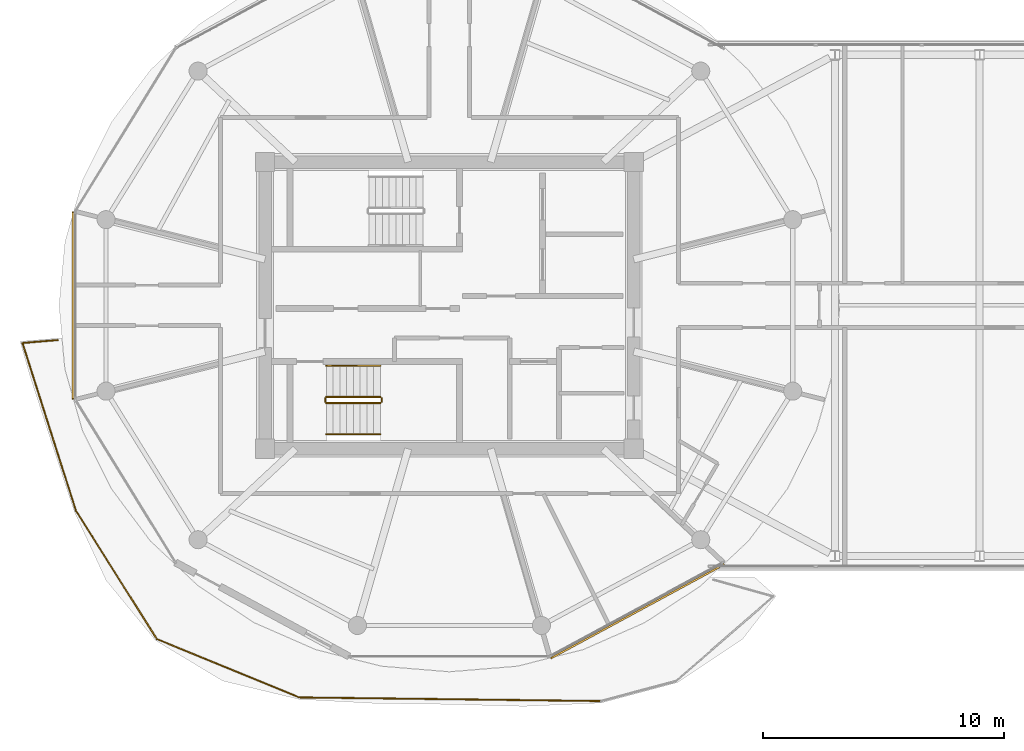
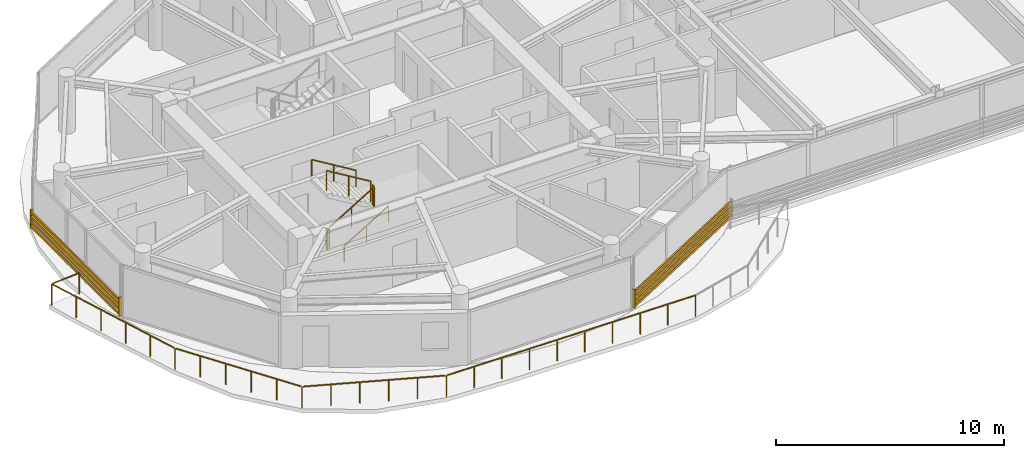
# One storey, part 20 of 23: 7 railings, 2 shading devices.
"""IFC4 building model written with IfcOpenShell, lengths in metres."""

from ifc_helpers import new_model, si_unit, direction, frame, origin, origin_2d, place, context, subcontext, project, spatial, rectangle, extrude, source, transform, mapped, material, type_object, type_shapes, element, save


model = new_model("IFC4")

# Units and contexts
model_context = context("Model", 3, precision=1e-05, world=origin(), true_north=direction((0.0, 1.0)))
body_context = subcontext(model_context, "Body", "Model", "MODEL_VIEW")
ifc_project = project(units=[si_unit("LENGTHUNIT", "METRE"), si_unit("AREAUNIT", "SQUARE_METRE"), si_unit("VOLUMEUNIT", "CUBIC_METRE"), si_unit("PLANEANGLEUNIT", "RADIAN"), si_unit("MASSUNIT", "GRAM", prefix="KILO")], contexts=[model_context])

# Site, building, storey
site_placement = place(None, origin())
site = spatial("IfcSite", under=ifc_project, at=site_placement, CompositionType="ELEMENT")
building_placement = place(site_placement, origin())
building = spatial("IfcBuilding", under=site, at=building_placement, Name="Norrkilde Senior Care Towers", CompositionType="ELEMENT")
storey_placement = place(building_placement, frame((0.0, 0.0, 229.14990234375)))
storey = spatial("IfcBuildingStorey", under=building, at=storey_placement, Name="L71", CompositionType="ELEMENT", Elevation=229.14990234375)

# Railings
ifc_material_1 = material(Name="Anodised Aluminium", Category="aluminium")
railing_type_1 = type_object("IfcRailingType", Name="Balcony Swirl Ribbon Guardrail 1150", PredefinedType="GUARDRAIL", material=ifc_material_1)
railing_1_placement = place(storey_placement, frame((-21.7158203125, -16.4169921875, 0.0)))
element("IfcRailing", 1, at=railing_1_placement, inside=storey, type_object=railing_type_1, Name="L71 Perimeter Safety Guard 03", PredefinedType="GUARDRAIL", context=body_context, shape_type="SweptSolid", body=[
    extrude(rectangle(XDim=0.048095703125, YDim=0.048095703125, at=origin_2d()), frame((0.0, 0.0, 1.1259765625), z_axis=(-0.999927130916, 0.012071986543, 0.0), x_axis=(-0.012071986543, -0.999927130916, 0.0)), (0.0, 0.0, 1.0), 12.4775390625),
    extrude(rectangle(XDim=0.048095703125, YDim=0.048095703125, at=origin_2d()), frame((-12.555419921875, 0.166748046875, 1.1259765625), z_axis=(-0.925186522393, 0.379512712281, 0.0), x_axis=(-0.379512712281, -0.925186522393, 0.0)), (0.0, 0.0, 1.0), 6.30224609375),
    extrude(rectangle(XDim=0.048095703125, YDim=0.048095703125, at=origin_2d()), frame((-18.44580078125, 2.608642578125, 1.1259765625), z_axis=(-0.533303940625, 0.845923700409, 0.0), x_axis=(-0.845923700409, -0.533303940625, 0.0)), (0.0, 0.0, 1.0), 6.2119140625),
    extrude(rectangle(XDim=0.048095703125, YDim=0.048095703125, at=origin_2d()), frame((-21.79296875, 7.93701171875, 1.1259765625), z_axis=(-0.303715488144, 0.952762773339, 0.0), x_axis=(-0.952762773339, -0.303715488144, 0.0)), (0.0, 0.0, 1.0), 7.221923828125),
    extrude(rectangle(XDim=0.048095703125, YDim=0.048095703125, at=origin_2d()), frame((-23.9580078125, 14.860107421875, 1.1259765625), z_axis=(0.996532026815, 0.083210092725, 0.0), x_axis=(-0.083210092725, 0.996532026815, 0.0)), (0.0, 0.0, 1.0), 1.431884765625),
    extrude(rectangle(XDim=0.0419921875, YDim=0.0419921875, at=origin_2d()), origin(), (0.0, 0.0, 1.0), 1.099853515625),
    extrude(rectangle(XDim=0.0419921875, YDim=0.0419921875, at=origin_2d()), frame((-1.390869140625, 0.016845703125, 0.0)), (0.0, 0.0, 1.0), 1.099853515625),
    extrude(rectangle(XDim=0.0419921875, YDim=0.0419921875, at=origin_2d()), frame((-2.78173828125, 0.03369140625, 0.0)), (0.0, 0.0, 1.0), 1.099853515625),
    extrude(rectangle(XDim=0.0419921875, YDim=0.0419921875, at=origin_2d()), frame((-4.172607421875, 0.05029296875, 0.0)), (0.0, 0.0, 1.0), 1.099853515625),
    extrude(rectangle(XDim=0.0419921875, YDim=0.0419921875, at=origin_2d()), frame((-5.5634765625, 0.067138671875, 0.0)), (0.0, 0.0, 1.0), 1.099853515625),
    extrude(rectangle(XDim=0.0419921875, YDim=0.0419921875, at=origin_2d()), frame((-6.9541015625, 0.083984375, 0.0)), (0.0, 0.0, 1.0), 1.099853515625),
    extrude(rectangle(XDim=0.0419921875, YDim=0.0419921875, at=origin_2d()), frame((-8.344970703125, 0.100830078125, 0.0)), (0.0, 0.0, 1.0), 1.099853515625),
    extrude(rectangle(XDim=0.0419921875, YDim=0.0419921875, at=origin_2d()), frame((-9.73583984375, 0.117431640625, 0.0)), (0.0, 0.0, 1.0), 1.099853515625),
    extrude(rectangle(XDim=0.0419921875, YDim=0.0419921875, at=origin_2d()), frame((-11.126708984375, 0.13427734375, 0.0)), (0.0, 0.0, 1.0), 1.099853515625),
    extrude(rectangle(XDim=0.0419921875, YDim=0.0419921875, at=origin_2d()), frame((-12.517578125, 0.151123046875, 0.0)), (0.0, 0.0, 1.0), 1.099853515625),
    extrude(rectangle(XDim=0.0419921875, YDim=0.0419921875, at=origin_2d()), frame((-13.698974609375, 0.6357421875, 0.0)), (0.0, 0.0, 1.0), 1.099853515625),
    extrude(rectangle(XDim=0.0419921875, YDim=0.0419921875, at=origin_2d()), frame((-14.880126953125, 1.120361328125, 0.0)), (0.0, 0.0, 1.0), 1.099853515625),
    extrude(rectangle(XDim=0.0419921875, YDim=0.0419921875, at=origin_2d()), frame((-16.0615234375, 1.604736328125, 0.0)), (0.0, 0.0, 1.0), 1.099853515625),
    extrude(rectangle(XDim=0.0419921875, YDim=0.0419921875, at=origin_2d()), frame((-17.24267578125, 2.08935546875, 0.0)), (0.0, 0.0, 1.0), 1.099853515625),
    extrude(rectangle(XDim=0.0419921875, YDim=0.0419921875, at=origin_2d()), frame((-18.424072265625, 2.573974609375, 0.0)), (0.0, 0.0, 1.0), 1.099853515625),
    extrude(rectangle(XDim=0.0419921875, YDim=0.0419921875, at=origin_2d()), frame((-19.095458984375, 3.638671875, 0.0)), (0.0, 0.0, 1.0), 1.099853515625),
    extrude(rectangle(XDim=0.0419921875, YDim=0.0419921875, at=origin_2d()), frame((-19.7666015625, 4.70361328125, 0.0)), (0.0, 0.0, 1.0), 1.099853515625),
    extrude(rectangle(XDim=0.0419921875, YDim=0.0419921875, at=origin_2d()), frame((-20.43798828125, 5.768310546875, 0.0)), (0.0, 0.0, 1.0), 1.099853515625),
    extrude(rectangle(XDim=0.0419921875, YDim=0.0419921875, at=origin_2d()), frame((-21.109130859375, 6.833251953125, 0.0)), (0.0, 0.0, 1.0), 1.099853515625),
    extrude(rectangle(XDim=0.0419921875, YDim=0.0419921875, at=origin_2d()), frame((-21.780517578125, 7.89794921875, 0.0)), (0.0, 0.0, 1.0), 1.099853515625),
    extrude(rectangle(XDim=0.0419921875, YDim=0.0419921875, at=origin_2d()), frame((-22.22412109375, 9.289794921875, 0.0)), (0.0, 0.0, 1.0), 1.099853515625),
    extrude(rectangle(XDim=0.0419921875, YDim=0.0419921875, at=origin_2d()), frame((-22.667724609375, 10.681396484375, 0.0)), (0.0, 0.0, 1.0), 1.099853515625),
    extrude(rectangle(XDim=0.0419921875, YDim=0.0419921875, at=origin_2d()), frame((-23.111572265625, 12.0732421875, 0.0)), (0.0, 0.0, 1.0), 1.099853515625),
    extrude(rectangle(XDim=0.0419921875, YDim=0.0419921875, at=origin_2d()), frame((-23.55517578125, 13.46484375, 0.0)), (0.0, 0.0, 1.0), 1.099853515625),
    extrude(rectangle(XDim=0.0419921875, YDim=0.0419921875, at=origin_2d()), frame((-23.998779296875, 14.856689453125, 0.0)), (0.0, 0.0, 1.0), 1.099853515625),
    extrude(rectangle(XDim=0.0419921875, YDim=0.0419921875, at=origin_2d()), frame((-22.531005859375, 14.979248046875, 0.0)), (0.0, 0.0, 1.0), 1.099853515625),
])
ifc_material_2 = material(Name="Stainless Steel", Category="steel")
railing_type_2 = type_object("IfcRailingType", Name="Stair and Terrace Guardrail 1100", PredefinedType="GUARDRAIL", material=ifc_material_2)
railing_2_placement = place(storey_placement, frame((-33.10009765625, -4.050048828125, 0.16943359375)))
element("IfcRailing", 2, at=railing_2_placement, inside=storey, type_object=railing_type_2, Name="L71 ST-W2 stair guard 1", PredefinedType="GUARDRAIL", context=body_context, shape_type="SweptSolid", body=[
    extrude(rectangle(XDim=0.048095703125, YDim=0.048095703125, at=origin_2d()), frame((0.0, 0.0, 1.076171875), z_axis=(0.855512035549, 0.0, 0.517782924622), x_axis=(0.0, 1.0, 0.0)), (0.0, 0.0, 1.0), 2.618408203125),
    extrude(rectangle(XDim=0.0419921875, YDim=0.0419921875, at=origin_2d()), origin(), (0.0, 0.0, 1.0), 1.050048828125),
    extrude(rectangle(XDim=0.0419921875, YDim=0.0419921875, at=origin_2d()), frame((1.1201171875, 0.0, 0.677734375)), (0.0, 0.0, 1.0), 1.050048828125),
    extrude(rectangle(XDim=0.0419921875, YDim=0.0419921875, at=origin_2d()), frame((2.239990234375, 0.0, 1.355712890625)), (0.0, 0.0, 1.0), 1.050048828125),
])
railing_3_placement = place(storey_placement, frame((-30.81005859375, -4.0, 1.525146484375)))
element("IfcRailing", 3, at=railing_3_placement, inside=storey, type_object=railing_type_2, Name="L71 ST-W2 stair guard 2", PredefinedType="GUARDRAIL", context=body_context, shape_type="SweptSolid", body=[
    extrude(rectangle(XDim=0.048095703125, YDim=0.048095703125, at=origin_2d()), frame((0.0, 0.0, 1.076171875), z_axis=(0.0, 1.0, 0.0), x_axis=(-1.0, 0.0, 0.0)), (0.0, 0.0, 1.0), 0.14990234375),
    extrude(rectangle(XDim=0.0419921875, YDim=0.0419921875, at=origin_2d()), origin(), (0.0, 0.0, 1.0), 1.050048828125),
    extrude(rectangle(XDim=0.0419921875, YDim=0.0419921875, at=origin_2d()), frame((0.0, 0.14990234375, 0.0)), (0.0, 0.0, 1.0), 1.050048828125),
])
railing_4_placement = place(storey_placement, frame((-30.860107421875, -3.800048828125, 1.694580078125)))
element("IfcRailing", 4, at=railing_4_placement, inside=storey, type_object=railing_type_2, Name="L71 ST-W2 stair guard 3", PredefinedType="GUARDRAIL", context=body_context, shape_type="SweptSolid", body=[
    extrude(rectangle(XDim=0.048095703125, YDim=0.048095703125, at=origin_2d()), frame((0.0, 0.0, 1.076171875), z_axis=(-0.855553338991, 0.0, 0.51771467445), x_axis=(0.0, -1.0, 0.0)), (0.0, 0.0, 1.0), 2.6181640625),
    extrude(rectangle(XDim=0.0419921875, YDim=0.0419921875, at=origin_2d()), origin(), (0.0, 0.0, 1.0), 1.050048828125),
    extrude(rectangle(XDim=0.0419921875, YDim=0.0419921875, at=origin_2d()), frame((-1.1201171875, 0.0, 0.677734375)), (0.0, 0.0, 1.0), 1.050048828125),
    extrude(rectangle(XDim=0.0419921875, YDim=0.0419921875, at=origin_2d()), frame((-2.239990234375, 0.0, 1.35546875)), (0.0, 0.0, 1.0), 1.050048828125),
])
railing_5_placement = place(storey_placement, frame((-33.14990234375, -4.0, 0.0)))
element("IfcRailing", 5, at=railing_5_placement, inside=storey, type_object=railing_type_2, Name="L71 ST-W2 stair guard 4", PredefinedType="GUARDRAIL", context=body_context, shape_type="SweptSolid", body=[
    extrude(rectangle(XDim=0.048095703125, YDim=0.048095703125, at=origin_2d()), frame((0.0, 0.0, 1.076171875), z_axis=(0.0, 1.0, 0.0), x_axis=(-1.0, 0.0, 0.0)), (0.0, 0.0, 1.0), 0.14990234375),
    extrude(rectangle(XDim=0.0419921875, YDim=0.0419921875, at=origin_2d()), origin(), (0.0, 0.0, 1.0), 1.050048828125),
    extrude(rectangle(XDim=0.0419921875, YDim=0.0419921875, at=origin_2d()), frame((0.0, 0.14990234375, 0.0)), (0.0, 0.0, 1.0), 1.050048828125),
])
ifc_material_3 = material(Name="Nordic Ash Timber", Category="wood")
railing_type_3 = type_object("IfcRailingType", Name="Wall and Stair Handrail 900", PredefinedType="HANDRAIL", material=ifc_material_3)
railing_6_placement = place(storey_placement, frame((-33.10009765625, -5.35009765625, 0.16943359375)))
element("IfcRailing", 6, at=railing_6_placement, inside=storey, type_object=railing_type_3, Name="L71 ST-W2 stair handrail 1", PredefinedType="HANDRAIL", context=body_context, shape_type="SweptSolid", body=[
    extrude(rectangle(XDim=0.048095703125, YDim=0.048095703125, at=origin_2d()), frame((0.0, 0.0, 0.8759765625), z_axis=(0.855512035549, 0.0, 0.517782924622), x_axis=(0.0, 1.0, 0.0)), (0.0, 0.0, 1.0), 2.618408203125),
    extrude(rectangle(XDim=0.0419921875, YDim=0.0419921875, at=origin_2d()), origin(), (0.0, 0.0, 1.0), 0.849853515625),
    extrude(rectangle(XDim=0.0419921875, YDim=0.0419921875, at=origin_2d()), frame((1.1201171875, 0.0, 0.677734375)), (0.0, 0.0, 1.0), 0.849853515625),
    extrude(rectangle(XDim=0.0419921875, YDim=0.0419921875, at=origin_2d()), frame((2.239990234375, 0.0, 1.355712890625)), (0.0, 0.0, 1.0), 0.849853515625),
])
railing_7_placement = place(storey_placement, frame((-30.860107421875, -2.5, 1.694580078125)))
element("IfcRailing", 7, at=railing_7_placement, inside=storey, type_object=railing_type_3, Name="L71 ST-W2 stair handrail 2", PredefinedType="HANDRAIL", context=body_context, shape_type="SweptSolid", body=[
    extrude(rectangle(XDim=0.048095703125, YDim=0.048095703125, at=origin_2d()), frame((0.0, 0.0, 0.8759765625), z_axis=(-0.855553338991, 0.0, 0.51771467445), x_axis=(0.0, -1.0, 0.0)), (0.0, 0.0, 1.0), 2.6181640625),
    extrude(rectangle(XDim=0.0419921875, YDim=0.0419921875, at=origin_2d()), origin(), (0.0, 0.0, 1.0), 0.849853515625),
    extrude(rectangle(XDim=0.0419921875, YDim=0.0419921875, at=origin_2d()), frame((-1.1201171875, 0.0, 0.677734375)), (0.0, 0.0, 1.0), 0.849853515625),
    extrude(rectangle(XDim=0.0419921875, YDim=0.0419921875, at=origin_2d()), frame((-2.239990234375, 0.0, 1.35546875)), (0.0, 0.0, 1.0), 0.849853515625),
])

# Shading devices
ifc_material_4 = material(Name="Architectural Terracotta", Category="masonry")
shading_device_type = type_object("IfcShadingDeviceType", Name="Horizontal Terracotta Baguette Rack", PredefinedType="USERDEFINED", material=ifc_material_4)
shared_shape_1 = source(origin(), body_context, "Body", "SweptSolid", [
    extrude(rectangle(XDim=0.070068359375, YDim=0.110107421875, at=origin_2d()), frame((0.0, 0.090087890625, 0.125), z_axis=(1.0, 0.0, 0.0), x_axis=(0.0, 1.0, 0.0)), (0.0, 0.0, 1.0), 8.197265625),
    extrude(rectangle(XDim=0.070068359375, YDim=0.110107421875, at=origin_2d()), frame((0.0, 0.090087890625, 0.375), z_axis=(1.0, 0.0, 0.0), x_axis=(0.0, 1.0, 0.0)), (0.0, 0.0, 1.0), 8.197265625),
    extrude(rectangle(XDim=0.070068359375, YDim=0.110107421875, at=origin_2d()), frame((0.0, 0.090087890625, 0.625), z_axis=(1.0, 0.0, 0.0), x_axis=(0.0, 1.0, 0.0)), (0.0, 0.0, 1.0), 8.197265625),
    extrude(rectangle(XDim=0.070068359375, YDim=0.110107421875, at=origin_2d()), frame((0.0, 0.090087890625, 0.875), z_axis=(1.0, 0.0, 0.0), x_axis=(0.0, 1.0, 0.0)), (0.0, 0.0, 1.0), 8.197265625),
    extrude(rectangle(XDim=0.050048828125, YDim=0.1552734375, at=origin_2d()), frame((0.02490234375, 0.047607421875, 0.0)), (0.0, 0.0, 1.0), 1.0),
    extrude(rectangle(XDim=0.050048828125, YDim=0.1552734375, at=origin_2d()), frame((8.17236328125, 0.047607421875, 0.0)), (0.0, 0.0, 1.0), 1.0),
])
shading_device_1_placement = place(storey_placement, frame((-16.629638671875, -10.6630859375, 0.080078125), z_axis=(0.0, 0.0, 1.0), x_axis=(-0.879378127234, -0.476143674053, 0.0)))
element("IfcShadingDevice", 8, at=shading_device_1_placement, inside=storey, type_object=shading_device_type, Name="L71 Drum W Terracotta Baguette Screen 09", ObjectType="BAGUETTE", PredefinedType="USERDEFINED", context=body_context, shape_type="MappedRepresentation", body=[
    mapped(shared_shape_1, transform((0.0, 0.0, 0.0), x_axis=(1.0, 0.0, 0.0), y_axis=(0.0, 1.0, 0.0), z_axis=(0.0, 0.0, 1.0), scale=1.0)),
])
shared_shape_2 = source(origin(), body_context, "Body", "SweptSolid", [
    extrude(rectangle(XDim=0.070068359375, YDim=0.110107421875, at=origin_2d()), frame((0.0, 0.090087890625, 0.125), z_axis=(1.0, 0.0, 0.0), x_axis=(0.0, 1.0, 0.0)), (0.0, 0.0, 1.0), 7.80615234375),
    extrude(rectangle(XDim=0.070068359375, YDim=0.110107421875, at=origin_2d()), frame((0.0, 0.090087890625, 0.375), z_axis=(1.0, 0.0, 0.0), x_axis=(0.0, 1.0, 0.0)), (0.0, 0.0, 1.0), 7.80615234375),
    extrude(rectangle(XDim=0.070068359375, YDim=0.110107421875, at=origin_2d()), frame((0.0, 0.090087890625, 0.625), z_axis=(1.0, 0.0, 0.0), x_axis=(0.0, 1.0, 0.0)), (0.0, 0.0, 1.0), 7.80615234375),
    extrude(rectangle(XDim=0.070068359375, YDim=0.110107421875, at=origin_2d()), frame((0.0, 0.090087890625, 0.875), z_axis=(1.0, 0.0, 0.0), x_axis=(0.0, 1.0, 0.0)), (0.0, 0.0, 1.0), 7.80615234375),
    extrude(rectangle(XDim=0.050048828125, YDim=0.1552734375, at=origin_2d()), frame((0.02490234375, 0.047607421875, 0.0)), (0.0, 0.0, 1.0), 1.0),
    extrude(rectangle(XDim=0.050048828125, YDim=0.1552734375, at=origin_2d()), frame((7.78125, 0.047607421875, 0.0)), (0.0, 0.0, 1.0), 1.0),
])
type_shapes(shading_device_type, [shared_shape_1, shared_shape_2])
shading_device_2_placement = place(storey_placement, frame((-43.531982421875, -3.903076171875, 0.080078125), z_axis=(0.0, 0.0, 1.0), x_axis=(0.0, 1.0, 0.0)))
element("IfcShadingDevice", 9, at=shading_device_2_placement, inside=storey, type_object=shading_device_type, Name="L71 Drum W Terracotta Baguette Screen 05", ObjectType="BAGUETTE", PredefinedType="USERDEFINED", context=body_context, shape_type="MappedRepresentation", body=[
    mapped(shared_shape_2, transform((0.0, 0.0, 0.0), x_axis=(1.0, 0.0, 0.0), y_axis=(0.0, 1.0, 0.0), z_axis=(0.0, 0.0, 1.0), scale=1.0)),
])

save(model, "model.ifc")
